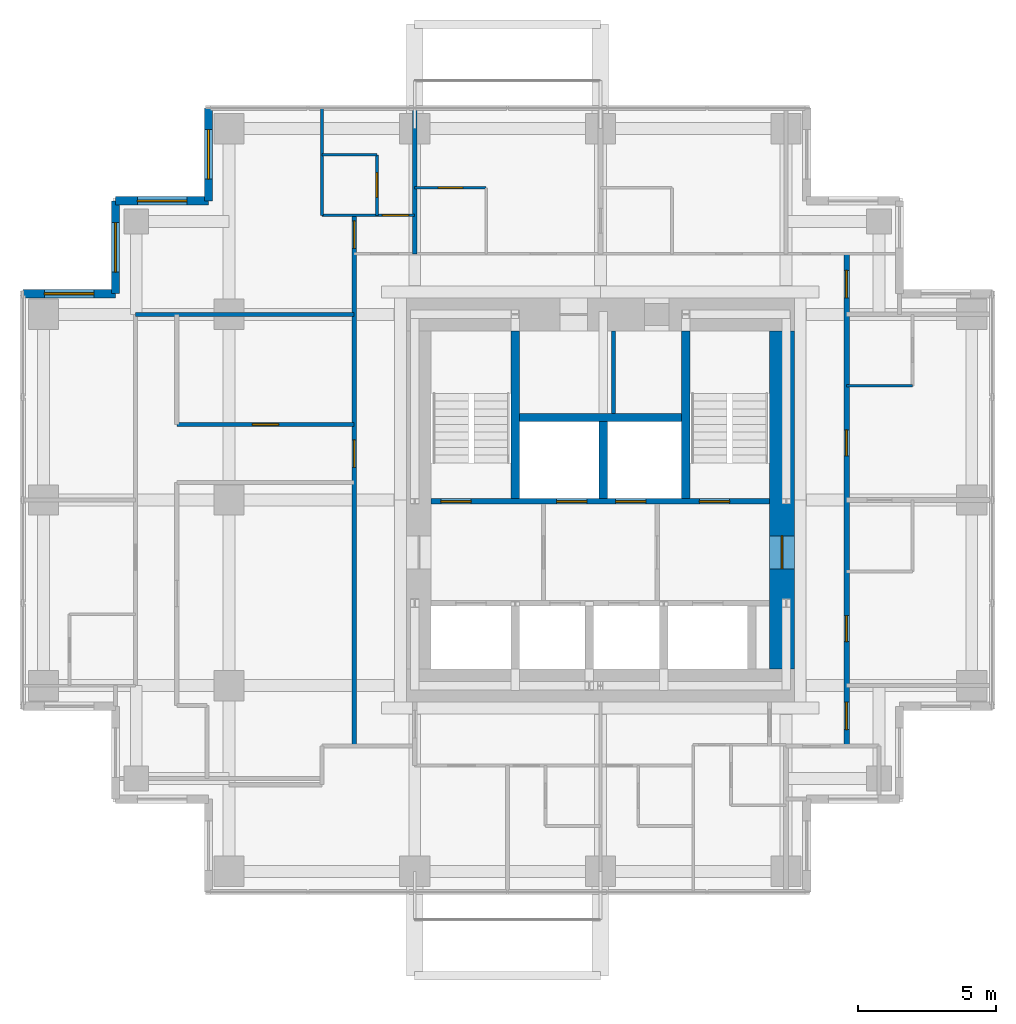
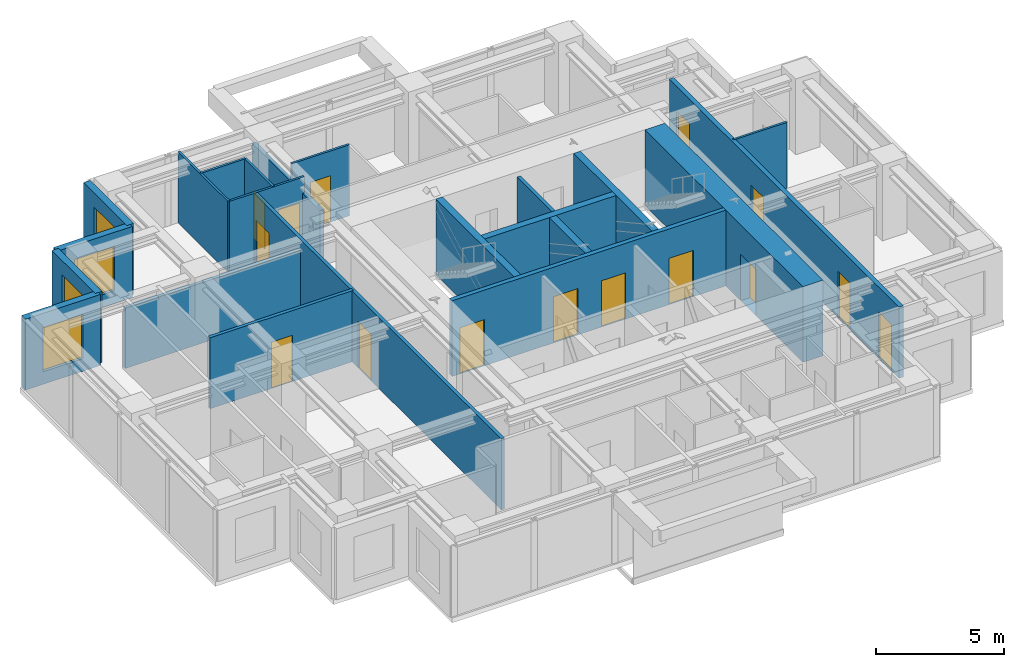
# One storey, part 5 of 7: 22 walls, 15 doors, 4 windows, 19 openings.
"""IFC4 building model written with IfcOpenShell, lengths in metres."""

from ifc_helpers import new_model, si_unit, direction, frame, frame_2d, origin, place, context, subcontext, project, spatial, rectangle, extrude, material, layer, layer_set, type_object, element, fill, save


model = new_model("IFC4")

# Units and contexts
model_context = context("Model", 3, precision=1e-05, world=origin(), true_north=direction((0.0, 1.0)))
body_context = subcontext(model_context, "Body", "Model", "MODEL_VIEW")
ifc_project = project(units=[si_unit("LENGTHUNIT", "METRE"), si_unit("AREAUNIT", "SQUARE_METRE"), si_unit("VOLUMEUNIT", "CUBIC_METRE"), si_unit("PLANEANGLEUNIT", "RADIAN"), si_unit("MASSUNIT", "GRAM", prefix="KILO")], contexts=[model_context])

# Site, building, storey
site_placement = place(None, origin())
site = spatial("IfcSite", under=ifc_project, at=site_placement, CompositionType="ELEMENT")
building_placement = place(site_placement, origin())
building = spatial("IfcBuilding", under=site, at=building_placement, Name="Nyansa Garden Tower", CompositionType="ELEMENT")
storey_placement = place(building_placement, frame((0.0, 0.0, 215.10009765625)))
storey = spatial("IfcBuildingStorey", under=building, at=storey_placement, Name="L58", CompositionType="ELEMENT", Elevation=215.10009765625)

# Wall
ifc_material_1 = material(Name="Dense blockwork, plastered both sides, 55 dB", Category="masonry")
ifc_layer_1 = layer(ifc_material_1, 0.175048828125)
ifc_layer_set_1 = layer_set([ifc_layer_1], Name="Acoustic party wall PW175")
wall_type_1 = type_object("IfcWallType", Name="Acoustic party wall PW175", PredefinedType="PARTITIONING", material=ifc_layer_set_1)
wall_1_placement = place(storey_placement, frame((13.5, 29.199951171875, 0.0), z_axis=(0.0, 0.0, 1.0), x_axis=(0.0, 1.0, 0.0)))
element("IfcWall", 1, at=wall_1_placement, inside=storey, type_object=wall_type_1, Name="Party wall", PredefinedType="PARTITIONING", context=body_context, shape_type="SweptSolid", body=[
    extrude(rectangle(XDim=5.283935546875, YDim=0.175048828125, at=frame_2d((2.64208984375, 0.0))), origin(), (0.0, 0.0, 1.0), 2.60986328125),
])

# Wall, openings, doors
ifc_material_2 = material(Name="Concrete C70/85", Category="concrete")
ifc_layer_2 = layer(ifc_material_2, 0.199951171875)
ifc_layer_set_2 = layer_set([ifc_layer_2], Name="Core inner wall CI200")
wall_type_2 = type_object("IfcWallType", Name="Core inner wall CI200", PredefinedType="SHEAR", material=ifc_layer_set_2)
wall_2_placement = place(storey_placement, frame((14.10009765625, 20.199951171875, 0.0), z_axis=(0.0, 0.0, 1.0), x_axis=(1.0, 0.0, 0.0)))
wall_2 = element("IfcWall", 2, at=wall_2_placement, inside=storey, type_object=wall_type_2, Name="Core inner wall L58", PredefinedType="SHEAR", context=body_context, shape_type="SweptSolid", body=[
    extrude(rectangle(XDim=12.2998046875, YDim=0.199951171875, at=frame_2d((6.14990234375, 0.0))), origin(), (0.0, 0.0, 1.0), 3.599853515625),
])
opening_1_placement = place(wall_2_placement, frame((4.56005859375, 0.0, 0.0)))
opening_1 = element("IfcOpeningElement", 3, at=opening_1_placement, cuts=wall_2, Name="Opening LD-B", PredefinedType="OPENING", context=body_context, shape_type="SweptSolid", body=[
    extrude(rectangle(XDim=1.10009765625, YDim=2.199951171875, at=frame_2d((0.550048828125, 1.10009765625))), frame((0.0, 0.10986328125, 0.0), z_axis=(0.0, -1.0, 0.0), x_axis=(1.0, 0.0, 0.0)), (0.0, 0.0, 1.0), 0.219970703125),
])
opening_2_placement = place(wall_2_placement, frame((6.699951171875, 0.0, 0.0)))
opening_2 = element("IfcOpeningElement", 4, at=opening_2_placement, cuts=wall_2, Name="Opening LD-B", PredefinedType="OPENING", context=body_context, shape_type="SweptSolid", body=[
    extrude(rectangle(XDim=1.10009765625, YDim=2.199951171875, at=frame_2d((0.550048828125, 1.10009765625))), frame((0.0, 0.10986328125, 0.0), z_axis=(0.0, -1.0, 0.0), x_axis=(1.0, 0.0, 0.0)), (0.0, 0.0, 1.0), 0.219970703125),
])
opening_3_placement = place(wall_2_placement, frame((0.35009765625, 0.0, 0.0)))
opening_3 = element("IfcOpeningElement", 5, at=opening_3_placement, cuts=wall_2, Name="Opening D05", PredefinedType="OPENING", context=body_context, shape_type="SweptSolid", body=[
    extrude(rectangle(XDim=1.10009765625, YDim=2.199951171875, at=frame_2d((0.550048828125, 1.10009765625))), frame((0.0, 0.10986328125, 0.0), z_axis=(0.0, -1.0, 0.0), x_axis=(1.0, 0.0, 0.0)), (0.0, 0.0, 1.0), 0.219970703125),
])
opening_4_placement = place(wall_2_placement, frame((9.75, 0.0, 0.0)))
opening_4 = element("IfcOpeningElement", 6, at=opening_4_placement, cuts=wall_2, Name="Opening D05", PredefinedType="OPENING", context=body_context, shape_type="SweptSolid", body=[
    extrude(rectangle(XDim=1.10009765625, YDim=2.199951171875, at=frame_2d((0.550048828125, 1.10009765625))), frame((0.0, 0.10986328125, 0.0), z_axis=(0.0, -1.0, 0.0), x_axis=(1.0, 0.0, 0.0)), (0.0, 0.0, 1.0), 0.219970703125),
])
ifc_material_3 = material(Name="Stainless steel centre-opening landing door of the high-rise lift, E 120", Category="steel")
door_type_1 = type_object("IfcDoorType", Name="Lift landing door LD-B 1100x2200", OperationType="DOUBLE_DOOR_SLIDING", PredefinedType="DOOR", material=ifc_material_3)
door_1_placement = place(opening_1_placement, origin())
door_1 = element("IfcDoor", 7, at=door_1_placement, inside=storey, type_object=door_type_1, Name="Landing door B3", OperationType="DOUBLE_DOOR_SLIDING", OverallHeight=2.199951171875, OverallWidth=1.10009765625, PredefinedType="DOOR", context=body_context, shape_type="SweptSolid", body=[
    extrude(rectangle(XDim=1.10009765625, YDim=2.199951171875, at=frame_2d((0.550048828125, 1.10009765625))), frame((0.0, 0.02490234375, 0.0), z_axis=(0.0, -1.0, 0.0), x_axis=(1.0, 0.0, 0.0)), (0.0, 0.0, 1.0), 0.050048828125),
])
fill(opening_1, door_1)
door_2_placement = place(opening_2_placement, origin())
door_2 = element("IfcDoor", 8, at=door_2_placement, inside=storey, type_object=door_type_1, Name="Landing door B4", OperationType="DOUBLE_DOOR_SLIDING", OverallHeight=2.199951171875, OverallWidth=1.10009765625, PredefinedType="DOOR", context=body_context, shape_type="SweptSolid", body=[
    extrude(rectangle(XDim=1.10009765625, YDim=2.199951171875, at=frame_2d((0.550048828125, 1.10009765625))), frame((0.0, 0.02490234375, 0.0), z_axis=(0.0, -1.0, 0.0), x_axis=(1.0, 0.0, 0.0)), (0.0, 0.0, 1.0), 0.050048828125),
])
fill(opening_2, door_2)
ifc_material_4 = material(Name="Steel door, 120 minute fire resisting", Category="steel")
door_type_2 = type_object("IfcDoorType", Name="Stair door D05 1100x2200", OperationType="SINGLE_SWING_LEFT", PredefinedType="DOOR", material=ifc_material_4)
door_3_placement = place(opening_3_placement, origin())
door_3 = element("IfcDoor", 9, at=door_3_placement, inside=storey, type_object=door_type_2, Name="Stair S1 door", OperationType="SINGLE_SWING_LEFT", OverallHeight=2.199951171875, OverallWidth=1.10009765625, PredefinedType="DOOR", context=body_context, shape_type="SweptSolid", body=[
    extrude(rectangle(XDim=1.10009765625, YDim=2.199951171875, at=frame_2d((0.550048828125, 1.10009765625))), frame((0.0, 0.02490234375, 0.0), z_axis=(0.0, -1.0, 0.0), x_axis=(1.0, 0.0, 0.0)), (0.0, 0.0, 1.0), 0.050048828125),
])
fill(opening_3, door_3)
door_4_placement = place(opening_4_placement, origin())
door_4 = element("IfcDoor", 10, at=door_4_placement, inside=storey, type_object=door_type_2, Name="Stair S2 door", OperationType="SINGLE_SWING_LEFT", OverallHeight=2.199951171875, OverallWidth=1.10009765625, PredefinedType="DOOR", context=body_context, shape_type="SweptSolid", body=[
    extrude(rectangle(XDim=1.10009765625, YDim=2.199951171875, at=frame_2d((0.550048828125, 1.10009765625))), frame((0.0, 0.02490234375, 0.0), z_axis=(0.0, -1.0, 0.0), x_axis=(1.0, 0.0, 0.0)), (0.0, 0.0, 1.0), 0.050048828125),
])
fill(opening_4, door_4)

# Walls
ifc_material_5 = material(Name="Concrete C70/85", Category="concrete")
ifc_layer_3 = layer(ifc_material_5, 0.300048828125)
ifc_layer_set_3 = layer_set([ifc_layer_3], Name="Core inner wall CI300")
wall_type_3 = type_object("IfcWallType", Name="Core inner wall CI300", PredefinedType="SHEAR", material=ifc_layer_set_3)
for number, where, z_axis, x_axis, name in (
    (11, (17.14990234375, 20.300048828125, 0.0), (0.0, 0.0, 1.0), (0.0, 1.0, 0.0), "Core inner wall L58"),
    (12, (23.35009765625, 20.300048828125, 0.0), (0.0, 0.0, 1.0), (0.0, 1.0, 0.0), "Core inner wall L58"),
):
    element("IfcWall", number, at=place(storey_placement, frame(where, z_axis=z_axis, x_axis=x_axis)), inside=storey, type_object=wall_type_3, Name=name, PredefinedType="SHEAR", context=body_context, shape_type="SweptSolid", body=[
        extrude(rectangle(XDim=6.099853515625, YDim=0.300048828125, at=frame_2d((3.0498046875, 0.0))), origin(), (0.0, 0.0, 1.0), 3.599853515625),
    ])
wall_3_placement = place(storey_placement, frame((20.35009765625, 20.300048828125, 0.0), z_axis=(0.0, 0.0, 1.0), x_axis=(0.0, 1.0, 0.0)))
element("IfcWall", 13, at=wall_3_placement, inside=storey, type_object=wall_type_3, Name="Core inner wall L58", PredefinedType="SHEAR", context=body_context, shape_type="SweptSolid", body=[
    extrude(rectangle(XDim=2.800048828125, YDim=0.300048828125, at=frame_2d((1.39990234375, 0.0))), origin(), (0.0, 0.0, 1.0), 3.599853515625),
])
wall_4_placement = place(storey_placement, frame((17.300048828125, 23.25, 0.0), z_axis=(0.0, 0.0, 1.0), x_axis=(1.0, 0.0, 0.0)))
element("IfcWall", 14, at=wall_4_placement, inside=storey, type_object=wall_type_3, Name="Core inner wall L58", PredefinedType="SHEAR", context=body_context, shape_type="SweptSolid", body=[
    extrude(rectangle(XDim=5.89990234375, YDim=0.300048828125, at=frame_2d((2.949951171875, 0.0))), origin(), (0.0, 0.0, 1.0), 3.599853515625),
])

# Wall, opening, door
ifc_material_6 = material(Name="Concrete C80/95", Category="concrete")
ifc_layer_4 = layer(ifc_material_6, 0.89990234375)
ifc_layer_set_4 = layer_set([ifc_layer_4], Name="Core wall CW900")
wall_type_4 = type_object("IfcWallType", Name="Core wall CW900", PredefinedType="SHEAR", material=ifc_layer_set_4)
wall_5_placement = place(storey_placement, frame((26.85009765625, 14.10009765625, 0.0), z_axis=(0.0, 0.0, 1.0), x_axis=(0.0, 1.0, 0.0)))
wall_5 = element("IfcWall", 15, at=wall_5_placement, inside=storey, type_object=wall_type_4, Name="Core wall E L58", PredefinedType="SHEAR", context=body_context, shape_type="SweptSolid", body=[
    extrude(rectangle(XDim=12.2998046875, YDim=0.89990234375, at=frame_2d((6.14990234375, 0.0))), origin(), (0.0, 0.0, 1.0), 3.599853515625),
])
opening_5_placement = place(wall_5_placement, frame((3.64990234375, 0.0, 0.0)))
opening_5 = element("IfcOpeningElement", 16, at=opening_5_placement, cuts=wall_5, Name="Opening D06", PredefinedType="OPENING", context=body_context, shape_type="SweptSolid", body=[
    extrude(rectangle(XDim=1.199951171875, YDim=2.199951171875, at=frame_2d((0.60009765625, 1.10009765625))), frame((0.0, 0.4599609375, 0.0), z_axis=(0.0, -1.0, 0.0), x_axis=(1.0, 0.0, 0.0)), (0.0, 0.0, 1.0), 0.919921875),
])
ifc_material_7 = material(Name="Steel door, 120 minute fire resisting", Category="steel")
door_type_3 = type_object("IfcDoorType", Name="Lobby door D06 1200x2200", OperationType="DOUBLE_DOOR_SINGLE_SWING", PredefinedType="DOOR", material=ifc_material_7)
door_5_placement = place(opening_5_placement, origin())
door_5 = element("IfcDoor", 17, at=door_5_placement, inside=storey, type_object=door_type_3, Name="Lift lobby door east", OperationType="DOUBLE_DOOR_SINGLE_SWING", OverallHeight=2.199951171875, OverallWidth=1.199951171875, PredefinedType="DOOR", context=body_context, shape_type="SweptSolid", body=[
    extrude(rectangle(XDim=1.199951171875, YDim=2.199951171875, at=frame_2d((0.60009765625, 1.10009765625))), frame((0.0, 0.02490234375, 0.0), z_axis=(0.0, -1.0, 0.0), x_axis=(1.0, 0.0, 0.0)), (0.0, 0.0, 1.0), 0.050048828125),
])
fill(opening_5, door_5)

# Wall, openings, doors
ifc_material_8 = material(Name="Concrete blockwork, plastered, 60 minute fire resisting", Category="masonry")
ifc_layer_5 = layer(ifc_material_8, 0.199951171875)
ifc_layer_set_5 = layer_set([ifc_layer_5], Name="Corridor wall FW200")
wall_type_5 = type_object("IfcWallType", Name="Corridor wall FW200", PredefinedType="PARTITIONING", material=ifc_layer_set_5)
wall_6_placement = place(storey_placement, frame((29.199951171875, 11.300048828125, 0.0), z_axis=(0.0, 0.0, 1.0), x_axis=(0.0, 1.0, 0.0)))
wall_6 = element("IfcWall", 18, at=wall_6_placement, inside=storey, type_object=wall_type_5, Name="Corridor wall", PredefinedType="PARTITIONING", context=body_context, shape_type="SweptSolid", body=[
    extrude(rectangle(XDim=17.89990234375, YDim=0.199951171875, at=frame_2d((8.949951171875, 0.0))), origin(), (0.0, 0.0, 1.0), 3.375),
])
opening_6_placement = place(wall_6_placement, frame((0.60009765625, 0.0, 0.0)))
opening_6 = element("IfcOpeningElement", 19, at=opening_6_placement, cuts=wall_6, Name="Opening D03", PredefinedType="OPENING", context=body_context, shape_type="SweptSolid", body=[
    extrude(rectangle(XDim=1.0, YDim=2.199951171875, at=frame_2d((0.5, 1.10009765625))), frame((0.0, 0.10986328125, 0.0), z_axis=(0.0, -1.0, 0.0), x_axis=(1.0, 0.0, 0.0)), (0.0, 0.0, 1.0), 0.219970703125),
])
opening_7_placement = place(wall_6_placement, frame((10.550048828125, 0.0, 0.0)))
opening_7 = element("IfcOpeningElement", 20, at=opening_7_placement, cuts=wall_6, Name="Opening D14", PredefinedType="OPENING", context=body_context, shape_type="SweptSolid", body=[
    extrude(rectangle(XDim=0.949951171875, YDim=2.199951171875, at=frame_2d((0.47509765625, 1.10009765625))), frame((0.0, 0.10986328125, 0.0), z_axis=(0.0, -1.0, 0.0), x_axis=(1.0, 0.0, 0.0)), (0.0, 0.0, 1.0), 0.219970703125),
])
opening_8_placement = place(wall_6_placement, frame((3.800048828125, 0.0, 0.0)))
opening_8 = element("IfcOpeningElement", 21, at=opening_8_placement, cuts=wall_6, Name="Opening D14", PredefinedType="OPENING", context=body_context, shape_type="SweptSolid", body=[
    extrude(rectangle(XDim=0.949951171875, YDim=2.199951171875, at=frame_2d((0.47509765625, 1.10009765625))), frame((0.0, 0.10986328125, 0.0), z_axis=(0.0, -1.0, 0.0), x_axis=(1.0, 0.0, 0.0)), (0.0, 0.0, 1.0), 0.219970703125),
])
opening_9_placement = place(wall_6_placement, frame((16.300048828125, 0.0, 0.0)))
opening_9 = element("IfcOpeningElement", 22, at=opening_9_placement, cuts=wall_6, Name="Opening D03", PredefinedType="OPENING", context=body_context, shape_type="SweptSolid", body=[
    extrude(rectangle(XDim=1.0, YDim=2.199951171875, at=frame_2d((0.5, 1.10009765625))), frame((0.0, 0.10986328125, 0.0), z_axis=(0.0, -1.0, 0.0), x_axis=(1.0, 0.0, 0.0)), (0.0, 0.0, 1.0), 0.219970703125),
])
ifc_material_9 = material(Name="Timber flush door, 60 minute fire resisting", Category="wood")
door_type_4 = type_object("IfcDoorType", Name="Cluster entrance door D03 1000x2200", OperationType="SINGLE_SWING_LEFT", PredefinedType="DOOR", material=ifc_material_9)
door_6_placement = place(opening_6_placement, origin())
door_6 = element("IfcDoor", 23, at=door_6_placement, inside=storey, type_object=door_type_4, Name="Door L58-026", OperationType="SINGLE_SWING_LEFT", OverallHeight=2.199951171875, OverallWidth=1.0, PredefinedType="DOOR", context=body_context, shape_type="SweptSolid", body=[
    extrude(rectangle(XDim=1.0, YDim=2.199951171875, at=frame_2d((0.5, 1.10009765625))), frame((0.0, 0.02490234375, 0.0), z_axis=(0.0, -1.0, 0.0), x_axis=(1.0, 0.0, 0.0)), (0.0, 0.0, 1.0), 0.050048828125),
])
fill(opening_6, door_6)
door_7_placement = place(opening_9_placement, origin())
door_7 = element("IfcDoor", 24, at=door_7_placement, inside=storey, type_object=door_type_4, Name="Door L58-031", OperationType="SINGLE_SWING_LEFT", OverallHeight=2.199951171875, OverallWidth=1.0, PredefinedType="DOOR", context=body_context, shape_type="SweptSolid", body=[
    extrude(rectangle(XDim=1.0, YDim=2.199951171875, at=frame_2d((0.5, 1.10009765625))), frame((0.0, 0.02490234375, 0.0), z_axis=(0.0, -1.0, 0.0), x_axis=(1.0, 0.0, 0.0)), (0.0, 0.0, 1.0), 0.050048828125),
])
fill(opening_9, door_7)
ifc_material_10 = material(Name="Timber flush door, 60 minute fire resisting, self-closing", Category="wood")
door_type_5 = type_object("IfcDoorType", Name="Studio entrance door D14 950x2200", OperationType="SINGLE_SWING_LEFT", PredefinedType="DOOR", material=ifc_material_10)
door_8_placement = place(opening_7_placement, origin())
door_8 = element("IfcDoor", 25, at=door_8_placement, inside=storey, type_object=door_type_5, Name="Door L58-027", OperationType="SINGLE_SWING_LEFT", OverallHeight=2.199951171875, OverallWidth=0.949951171875, PredefinedType="DOOR", context=body_context, shape_type="SweptSolid", body=[
    extrude(rectangle(XDim=0.949951171875, YDim=2.199951171875, at=frame_2d((0.47509765625, 1.10009765625))), frame((0.0, 0.02490234375, 0.0), z_axis=(0.0, -1.0, 0.0), x_axis=(1.0, 0.0, 0.0)), (0.0, 0.0, 1.0), 0.050048828125),
])
fill(opening_7, door_8)
door_9_placement = place(opening_8_placement, origin())
door_9 = element("IfcDoor", 26, at=door_9_placement, inside=storey, type_object=door_type_5, Name="Door L58-029", OperationType="SINGLE_SWING_LEFT", OverallHeight=2.199951171875, OverallWidth=0.949951171875, PredefinedType="DOOR", context=body_context, shape_type="SweptSolid", body=[
    extrude(rectangle(XDim=0.949951171875, YDim=2.199951171875, at=frame_2d((0.47509765625, 1.10009765625))), frame((0.0, 0.02490234375, 0.0), z_axis=(0.0, -1.0, 0.0), x_axis=(1.0, 0.0, 0.0)), (0.0, 0.0, 1.0), 0.050048828125),
])
fill(opening_8, door_9)

# Walls
ifc_material_11 = material(Name="Blockwork, plastered both sides", Category="masonry")
ifc_layer_6 = layer(ifc_material_11, 0.14990234375)
ifc_layer_set_6 = layer_set([ifc_layer_6], Name="Partition PW150")
wall_type_6 = type_object("IfcWallType", Name="Partition PW150", PredefinedType="PARTITIONING", material=ifc_layer_set_6)
wall_7_placement = place(storey_placement, frame((20.72509765625, 23.39990234375, 0.0), z_axis=(0.0, 0.0, 1.0), x_axis=(0.0, 1.0, 0.0)))
element("IfcWall", 27, at=wall_7_placement, inside=storey, type_object=wall_type_6, Name="Partition", PredefinedType="PARTITIONING", context=body_context, shape_type="SweptSolid", body=[
    extrude(rectangle(XDim=3.0, YDim=0.14990234375, at=frame_2d((1.5, 0.0))), origin(), (0.0, 0.0, 1.0), 3.375),
])
wall_8_placement = place(storey_placement, frame((3.35009765625, 27.0, 0.0), z_axis=(0.0, 0.0, 1.0), x_axis=(1.0, 0.0, 0.0)))
element("IfcWall", 28, at=wall_8_placement, inside=storey, type_object=wall_type_6, Name="Partition", PredefinedType="PARTITIONING", context=body_context, shape_type="SweptSolid", body=[
    extrude(rectangle(XDim=7.949951171875, YDim=0.14990234375, at=frame_2d((3.97509765625, 0.0))), origin(), (0.0, 0.0, 1.0), 2.876953125),
])

# Wall, opening, door
wall_9_placement = place(storey_placement, frame((4.85009765625, 22.988037109375, 0.0), z_axis=(0.0, 0.0, 1.0), x_axis=(1.0, 0.0, 0.0)))
wall_9 = element("IfcWall", 29, at=wall_9_placement, inside=storey, type_object=wall_type_6, Name="Partition", PredefinedType="PARTITIONING", context=body_context, shape_type="SweptSolid", body=[
    extrude(rectangle(XDim=6.449951171875, YDim=0.14990234375, at=frame_2d((3.22509765625, 0.0))), origin(), (0.0, 0.0, 1.0), 3.375),
])
opening_10_placement = place(wall_9_placement, frame((2.75, 0.0, 0.0)))
opening_10 = element("IfcOpeningElement", 30, at=opening_10_placement, cuts=wall_9, Name="Opening D01", PredefinedType="OPENING", context=body_context, shape_type="SweptSolid", body=[
    extrude(rectangle(XDim=0.949951171875, YDim=2.199951171875, at=frame_2d((0.47509765625, 1.10009765625))), frame((0.0, 0.0849609375, 0.0), z_axis=(0.0, -1.0, 0.0), x_axis=(1.0, 0.0, 0.0)), (0.0, 0.0, 1.0), 0.169921875),
])
ifc_material_12 = material(Name="Timber flush door, 30 minute fire resisting", Category="wood")
door_type_6 = type_object("IfcDoorType", Name="Bedroom door D01 950x2200", OperationType="SINGLE_SWING_LEFT", PredefinedType="DOOR", material=ifc_material_12)
door_10_placement = place(opening_10_placement, origin())
door_10 = element("IfcDoor", 31, at=door_10_placement, inside=storey, type_object=door_type_6, Name="Door L58-044", OperationType="SINGLE_SWING_LEFT", OverallHeight=2.199951171875, OverallWidth=0.949951171875, PredefinedType="DOOR", context=body_context, shape_type="SweptSolid", body=[
    extrude(rectangle(XDim=0.949951171875, YDim=2.199951171875, at=frame_2d((0.47509765625, 1.10009765625))), frame((0.0, 0.02490234375, 0.0), z_axis=(0.0, -1.0, 0.0), x_axis=(1.0, 0.0, 0.0)), (0.0, 0.0, 1.0), 0.050048828125),
])
fill(opening_10, door_10)

# Wall, openings, doors
wall_10_placement = place(storey_placement, frame((11.300048828125, 11.300048828125, 0.0), z_axis=(0.0, 0.0, 1.0), x_axis=(0.0, 1.0, 0.0)))
wall_10 = element("IfcWall", 32, at=wall_10_placement, inside=storey, type_object=wall_type_6, Name="Partition", PredefinedType="PARTITIONING", context=body_context, shape_type="SweptSolid", body=[
    extrude(rectangle(XDim=19.300048828125, YDim=0.14990234375, at=frame_2d((9.64990234375, 0.0))), origin(), (0.0, 0.0, 1.0), 3.375),
])
opening_11_placement = place(wall_10_placement, frame((18.10009765625, 0.0, 0.0)))
opening_11 = element("IfcOpeningElement", 33, at=opening_11_placement, cuts=wall_10, Name="Opening D03", PredefinedType="OPENING", context=body_context, shape_type="SweptSolid", body=[
    extrude(rectangle(XDim=1.0, YDim=2.199951171875, at=frame_2d((0.5, 1.10009765625))), frame((0.0, 0.0849609375, 0.0), z_axis=(0.0, -1.0, 0.0), x_axis=(1.0, 0.0, 0.0)), (0.0, 0.0, 1.0), 0.169921875),
])
opening_12_placement = place(wall_10_placement, frame((10.137451171875, 0.0, 0.0)))
opening_12 = element("IfcOpeningElement", 34, at=opening_12_placement, cuts=wall_10, Name="Opening D03", PredefinedType="OPENING", context=body_context, shape_type="SweptSolid", body=[
    extrude(rectangle(XDim=1.0, YDim=2.199951171875, at=frame_2d((0.5, 1.10009765625))), frame((0.0, 0.0849609375, 0.0), z_axis=(0.0, -1.0, 0.0), x_axis=(1.0, 0.0, 0.0)), (0.0, 0.0, 1.0), 0.169921875),
])
door_11_placement = place(opening_11_placement, origin())
door_11 = element("IfcDoor", 35, at=door_11_placement, inside=storey, type_object=door_type_4, Name="Door L58-040", OperationType="SINGLE_SWING_LEFT", OverallHeight=2.199951171875, OverallWidth=1.0, PredefinedType="DOOR", context=body_context, shape_type="SweptSolid", body=[
    extrude(rectangle(XDim=1.0, YDim=2.199951171875, at=frame_2d((0.5, 1.10009765625))), frame((0.0, 0.02490234375, 0.0), z_axis=(0.0, -1.0, 0.0), x_axis=(1.0, 0.0, 0.0)), (0.0, 0.0, 1.0), 0.050048828125),
])
fill(opening_11, door_11)
door_12_placement = place(opening_12_placement, origin())
door_12 = element("IfcDoor", 36, at=door_12_placement, inside=storey, type_object=door_type_4, Name="Door L58-043", OperationType="SINGLE_SWING_LEFT", OverallHeight=2.199951171875, OverallWidth=1.0, PredefinedType="DOOR", context=body_context, shape_type="SweptSolid", body=[
    extrude(rectangle(XDim=1.0, YDim=2.199951171875, at=frame_2d((0.5, 1.10009765625))), frame((0.0, 0.02490234375, 0.0), z_axis=(0.0, -1.0, 0.0), x_axis=(1.0, 0.0, 0.0)), (0.0, 0.0, 1.0), 0.050048828125),
])
fill(opening_12, door_12)

# Wall, opening, window
ifc_material_13 = material(Name="Turquoise glazed tile on concrete blockwork", Category="masonry")
ifc_layer_7 = layer(ifc_material_13, 0.300048828125)
ifc_layer_set_7 = layer_set([ifc_layer_7], Name="Tiled corner wall TW300")
wall_type_7 = type_object("IfcWallType", Name="Tiled corner wall TW300", PredefinedType="SOLIDWALL", material=ifc_layer_set_7)
wall_11_placement = place(storey_placement, frame((6.0, 34.5, 0.0), z_axis=(0.0, 0.0, 1.0), x_axis=(0.0, -1.0, 0.0)))
wall_11 = element("IfcWall", 37, at=wall_11_placement, inside=storey, type_object=wall_type_7, Name="Tiled corner wall L58", PredefinedType="SOLIDWALL", context=body_context, shape_type="SweptSolid", body=[
    extrude(rectangle(XDim=3.375, YDim=0.300048828125, at=frame_2d((1.6875, 0.0))), origin(), (0.0, 0.0, 1.0), 3.375),
])
opening_13_placement = place(wall_11_placement, frame((0.78759765625, 0.0, 0.60009765625)))
opening_13 = element("IfcOpeningElement", 38, at=opening_13_placement, cuts=wall_11, Name="Opening W2", PredefinedType="OPENING", context=body_context, shape_type="SweptSolid", body=[
    extrude(rectangle(XDim=1.800048828125, YDim=2.10009765625, at=frame_2d((0.89990234375, 1.050048828125))), frame((0.0, 0.159912109375, 0.0), z_axis=(0.0, -1.0, 0.0), x_axis=(1.0, 0.0, 0.0)), (0.0, 0.0, 1.0), 0.320068359375),
])
ifc_material_14 = material(Name="Black aluminium frame, dark tinted double glazing", Category="aluminium")
window_type = type_object("IfcWindowType", Name="Window W2 1800x2100", PartitioningType="SINGLE_PANEL", PredefinedType="WINDOW", material=ifc_material_14)
window_1_placement = place(opening_13_placement, origin())
window_1 = element("IfcWindow", 39, at=window_1_placement, inside=storey, type_object=window_type, Name="Corner window L58", OverallHeight=2.10009765625, OverallWidth=1.800048828125, PartitioningType="SINGLE_PANEL", PredefinedType="WINDOW", context=body_context, shape_type="SweptSolid", body=[
    extrude(rectangle(XDim=1.800048828125, YDim=2.10009765625, at=frame_2d((0.89990234375, 1.050048828125))), frame((0.0, 0.030029296875, 0.0), z_axis=(0.0, -1.0, 0.0), x_axis=(1.0, 0.0, 0.0)), (0.0, 0.0, 1.0), 0.06005859375),
])
fill(opening_13, window_1)

wall_12_placement = place(storey_placement, frame((6.0, 31.125, 0.0), z_axis=(0.0, 0.0, 1.0), x_axis=(-1.0, 0.0, 0.0)))
wall_12 = element("IfcWall", 40, at=wall_12_placement, inside=storey, type_object=wall_type_7, Name="Tiled corner wall L58", PredefinedType="SOLIDWALL", context=body_context, shape_type="SweptSolid", body=[
    extrude(rectangle(XDim=3.375, YDim=0.300048828125, at=frame_2d((1.6875, 0.0))), origin(), (0.0, 0.0, 1.0), 3.375),
])
opening_14_placement = place(wall_12_placement, frame((0.78759765625, 0.0, 0.60009765625)))
opening_14 = element("IfcOpeningElement", 41, at=opening_14_placement, cuts=wall_12, Name="Opening W2", PredefinedType="OPENING", context=body_context, shape_type="SweptSolid", body=[
    extrude(rectangle(XDim=1.800048828125, YDim=2.10009765625, at=frame_2d((0.89990234375, 1.050048828125))), frame((0.0, 0.159912109375, 0.0), z_axis=(0.0, -1.0, 0.0), x_axis=(1.0, 0.0, 0.0)), (0.0, 0.0, 1.0), 0.320068359375),
])
window_2_placement = place(opening_14_placement, origin())
window_2 = element("IfcWindow", 42, at=window_2_placement, inside=storey, type_object=window_type, Name="Corner window L58", OverallHeight=2.10009765625, OverallWidth=1.800048828125, PartitioningType="SINGLE_PANEL", PredefinedType="WINDOW", context=body_context, shape_type="SweptSolid", body=[
    extrude(rectangle(XDim=1.800048828125, YDim=2.10009765625, at=frame_2d((0.89990234375, 1.050048828125))), frame((0.0, 0.030029296875, 0.0), z_axis=(0.0, -1.0, 0.0), x_axis=(1.0, 0.0, 0.0)), (0.0, 0.0, 1.0), 0.06005859375),
])
fill(opening_14, window_2)

wall_13_placement = place(storey_placement, frame((2.625, 31.125, 0.0), z_axis=(0.0, 0.0, 1.0), x_axis=(0.0, -1.0, 0.0)))
wall_13 = element("IfcWall", 43, at=wall_13_placement, inside=storey, type_object=wall_type_7, Name="Tiled corner wall L58", PredefinedType="SOLIDWALL", context=body_context, shape_type="SweptSolid", body=[
    extrude(rectangle(XDim=3.375, YDim=0.300048828125, at=frame_2d((1.6875, 0.0))), origin(), (0.0, 0.0, 1.0), 3.375),
])
opening_15_placement = place(wall_13_placement, frame((0.78759765625, 0.0, 0.60009765625)))
opening_15 = element("IfcOpeningElement", 44, at=opening_15_placement, cuts=wall_13, Name="Opening W2", PredefinedType="OPENING", context=body_context, shape_type="SweptSolid", body=[
    extrude(rectangle(XDim=1.800048828125, YDim=2.10009765625, at=frame_2d((0.89990234375, 1.050048828125))), frame((0.0, 0.159912109375, 0.0), z_axis=(0.0, -1.0, 0.0), x_axis=(1.0, 0.0, 0.0)), (0.0, 0.0, 1.0), 0.320068359375),
])
window_3_placement = place(opening_15_placement, origin())
window_3 = element("IfcWindow", 45, at=window_3_placement, inside=storey, type_object=window_type, Name="Corner window L58", OverallHeight=2.10009765625, OverallWidth=1.800048828125, PartitioningType="SINGLE_PANEL", PredefinedType="WINDOW", context=body_context, shape_type="SweptSolid", body=[
    extrude(rectangle(XDim=1.800048828125, YDim=2.10009765625, at=frame_2d((0.89990234375, 1.050048828125))), frame((0.0, 0.030029296875, 0.0), z_axis=(0.0, -1.0, 0.0), x_axis=(1.0, 0.0, 0.0)), (0.0, 0.0, 1.0), 0.06005859375),
])
fill(opening_15, window_3)

wall_14_placement = place(storey_placement, frame((2.625, 27.75, 0.0), z_axis=(0.0, 0.0, 1.0), x_axis=(-1.0, 0.0, 0.0)))
wall_14 = element("IfcWall", 46, at=wall_14_placement, inside=storey, type_object=wall_type_7, Name="Tiled corner wall L58", PredefinedType="SOLIDWALL", context=body_context, shape_type="SweptSolid", body=[
    extrude(rectangle(XDim=3.375, YDim=0.300048828125, at=frame_2d((1.6875, 0.0))), origin(), (0.0, 0.0, 1.0), 3.375),
])
opening_16_placement = place(wall_14_placement, frame((0.78759765625, 0.0, 0.60009765625)))
opening_16 = element("IfcOpeningElement", 47, at=opening_16_placement, cuts=wall_14, Name="Opening W2", PredefinedType="OPENING", context=body_context, shape_type="SweptSolid", body=[
    extrude(rectangle(XDim=1.800048828125, YDim=2.10009765625, at=frame_2d((0.89990234375, 1.050048828125))), frame((0.0, 0.159912109375, 0.0), z_axis=(0.0, -1.0, 0.0), x_axis=(1.0, 0.0, 0.0)), (0.0, 0.0, 1.0), 0.320068359375),
])
window_4_placement = place(opening_16_placement, origin())
window_4 = element("IfcWindow", 48, at=window_4_placement, inside=storey, type_object=window_type, Name="Corner window L58", OverallHeight=2.10009765625, OverallWidth=1.800048828125, PartitioningType="SINGLE_PANEL", PredefinedType="WINDOW", context=body_context, shape_type="SweptSolid", body=[
    extrude(rectangle(XDim=1.800048828125, YDim=2.10009765625, at=frame_2d((0.89990234375, 1.050048828125))), frame((0.0, 0.030029296875, 0.0), z_axis=(0.0, -1.0, 0.0), x_axis=(1.0, 0.0, 0.0)), (0.0, 0.0, 1.0), 0.06005859375),
])
fill(opening_16, window_4)

# Wall
ifc_material_15 = material(Name="Moisture resistant board on steel studs, tiled", Category="steel")
ifc_layer_8 = layer(ifc_material_15, 0.10009765625)
ifc_layer_set_8 = layer_set([ifc_layer_8], Name="Wet wall PW100")
wall_type_8 = type_object("IfcWallType", Name="Wet wall PW100", PredefinedType="PARTITIONING", material=ifc_layer_set_8)
wall_15_placement = place(storey_placement, frame((10.125, 30.60009765625, 0.0), z_axis=(0.0, 0.0, 1.0), x_axis=(0.0, 1.0, 0.0)))
element("IfcWall", 49, at=wall_15_placement, inside=storey, type_object=wall_type_8, Name="Wet wall", PredefinedType="PARTITIONING", context=body_context, shape_type="SweptSolid", body=[
    extrude(rectangle(XDim=3.8837890625, YDim=0.10009765625, at=frame_2d((1.94189453125, 0.0))), origin(), (0.0, 0.0, 1.0), 3.375),
])

# Wall, opening, door
wall_16_placement = place(storey_placement, frame((10.125, 30.60009765625, 0.0), z_axis=(0.0, 0.0, 1.0), x_axis=(1.0, 0.0, 0.0)))
wall_16 = element("IfcWall", 50, at=wall_16_placement, inside=storey, type_object=wall_type_8, Name="Wet wall", PredefinedType="PARTITIONING", context=body_context, shape_type="SweptSolid", body=[
    extrude(rectangle(XDim=3.375, YDim=0.10009765625, at=frame_2d((1.6875, 0.0))), origin(), (0.0, 0.0, 1.0), 3.375),
])
opening_17_placement = place(wall_16_placement, frame((2.199951171875, 0.0, 0.0)))
opening_17 = element("IfcOpeningElement", 51, at=opening_17_placement, cuts=wall_16, Name="Opening D14", PredefinedType="OPENING", context=body_context, shape_type="SweptSolid", body=[
    extrude(rectangle(XDim=0.949951171875, YDim=2.199951171875, at=frame_2d((0.47509765625, 1.10009765625))), frame((0.0, 0.06005859375, 0.0), z_axis=(0.0, -1.0, 0.0), x_axis=(1.0, 0.0, 0.0)), (0.0, 0.0, 1.0), 0.1201171875),
])
door_13_placement = place(opening_17_placement, origin())
door_13 = element("IfcDoor", 52, at=door_13_placement, inside=storey, type_object=door_type_5, Name="Door L58-037", OperationType="SINGLE_SWING_LEFT", OverallHeight=2.199951171875, OverallWidth=0.949951171875, PredefinedType="DOOR", context=body_context, shape_type="SweptSolid", body=[
    extrude(rectangle(XDim=0.949951171875, YDim=2.199951171875, at=frame_2d((0.47509765625, 1.10009765625))), frame((0.0, 0.02490234375, 0.0), z_axis=(0.0, -1.0, 0.0), x_axis=(1.0, 0.0, 0.0)), (0.0, 0.0, 1.0), 0.050048828125),
])
fill(opening_17, door_13)

# Wall
wall_17_placement = place(storey_placement, frame((10.125, 32.800048828125, 0.0), z_axis=(0.0, 0.0, 1.0), x_axis=(1.0, 0.0, 0.0)))
element("IfcWall", 53, at=wall_17_placement, inside=storey, type_object=wall_type_8, Name="Wet wall", PredefinedType="PARTITIONING", context=body_context, shape_type="SweptSolid", body=[
    extrude(rectangle(XDim=2.0, YDim=0.10009765625, at=frame_2d((1.0, 0.0))), origin(), (0.0, 0.0, 1.0), 3.375),
])

# Wall, opening, door
wall_18_placement = place(storey_placement, frame((12.125, 30.60009765625, 0.0), z_axis=(0.0, 0.0, 1.0), x_axis=(0.0, 1.0, 0.0)))
wall_18 = element("IfcWall", 54, at=wall_18_placement, inside=storey, type_object=wall_type_8, Name="Wet wall", PredefinedType="PARTITIONING", context=body_context, shape_type="SweptSolid", body=[
    extrude(rectangle(XDim=2.199951171875, YDim=0.10009765625, at=frame_2d((1.10009765625, 0.0))), origin(), (0.0, 0.0, 1.0), 3.375),
])
opening_18_placement = place(wall_18_placement, frame((0.64990234375, 0.0, 0.0)))
opening_18 = element("IfcOpeningElement", 55, at=opening_18_placement, cuts=wall_18, Name="Opening D02", PredefinedType="OPENING", context=body_context, shape_type="SweptSolid", body=[
    extrude(rectangle(XDim=0.89990234375, YDim=2.199951171875, at=frame_2d((0.449951171875, 1.10009765625))), frame((0.0, 0.06005859375, 0.0), z_axis=(0.0, -1.0, 0.0), x_axis=(1.0, 0.0, 0.0)), (0.0, 0.0, 1.0), 0.1201171875),
])
ifc_material_16 = material(Name="Timber flush door", Category="wood")
door_type_7 = type_object("IfcDoorType", Name="En-suite door D02 900x2200", OperationType="SINGLE_SWING_RIGHT", PredefinedType="DOOR", material=ifc_material_16)
door_14_placement = place(opening_18_placement, origin())
door_14 = element("IfcDoor", 56, at=door_14_placement, inside=storey, type_object=door_type_7, Name="Door L58-038", OperationType="SINGLE_SWING_RIGHT", OverallHeight=2.199951171875, OverallWidth=0.89990234375, PredefinedType="DOOR", context=body_context, shape_type="SweptSolid", body=[
    extrude(rectangle(XDim=0.89990234375, YDim=2.199951171875, at=frame_2d((0.449951171875, 1.10009765625))), frame((0.0, 0.02490234375, 0.0), z_axis=(0.0, -1.0, 0.0), x_axis=(1.0, 0.0, 0.0)), (0.0, 0.0, 1.0), 0.050048828125),
])
fill(opening_18, door_14)

wall_19_placement = place(storey_placement, frame((13.5, 31.60009765625, 0.0), z_axis=(0.0, 0.0, 1.0), x_axis=(1.0, 0.0, 0.0)))
wall_19 = element("IfcWall", 57, at=wall_19_placement, inside=storey, type_object=wall_type_8, Name="Wet wall", PredefinedType="PARTITIONING", context=body_context, shape_type="SweptSolid", body=[
    extrude(rectangle(XDim=2.60009765625, YDim=0.10009765625, at=frame_2d((1.300048828125, 0.0))), origin(), (0.0, 0.0, 1.0), 3.375),
])
opening_19_placement = place(wall_19_placement, frame((0.85009765625, 0.0, 0.0)))
opening_19 = element("IfcOpeningElement", 58, at=opening_19_placement, cuts=wall_19, Name="Opening D02", PredefinedType="OPENING", context=body_context, shape_type="SweptSolid", body=[
    extrude(rectangle(XDim=0.89990234375, YDim=2.199951171875, at=frame_2d((0.449951171875, 1.10009765625))), frame((0.0, 0.06005859375, 0.0), z_axis=(0.0, -1.0, 0.0), x_axis=(1.0, 0.0, 0.0)), (0.0, 0.0, 1.0), 0.1201171875),
])
door_15_placement = place(opening_19_placement, origin())
door_15 = element("IfcDoor", 59, at=door_15_placement, inside=storey, type_object=door_type_7, Name="Door L58-034", OperationType="SINGLE_SWING_RIGHT", OverallHeight=2.199951171875, OverallWidth=0.89990234375, PredefinedType="DOOR", context=body_context, shape_type="SweptSolid", body=[
    extrude(rectangle(XDim=0.89990234375, YDim=2.199951171875, at=frame_2d((0.449951171875, 1.10009765625))), frame((0.0, 0.02490234375, 0.0), z_axis=(0.0, -1.0, 0.0), x_axis=(1.0, 0.0, 0.0)), (0.0, 0.0, 1.0), 0.050048828125),
])
fill(opening_19, door_15)

# Wall
wall_20_placement = place(storey_placement, frame((29.199951171875, 24.39990234375, 0.0), z_axis=(0.0, 0.0, 1.0), x_axis=(1.0, 0.0, 0.0)))
element("IfcWall", 60, at=wall_20_placement, inside=storey, type_object=wall_type_8, Name="Wet wall", PredefinedType="PARTITIONING", context=body_context, shape_type="SweptSolid", body=[
    extrude(rectangle(XDim=2.400146484375, YDim=0.10009765625, at=frame_2d((1.2001953125, 0.0))), origin(), (0.0, 0.0, 1.0), 3.375),
])

save(model, "model.ifc")
